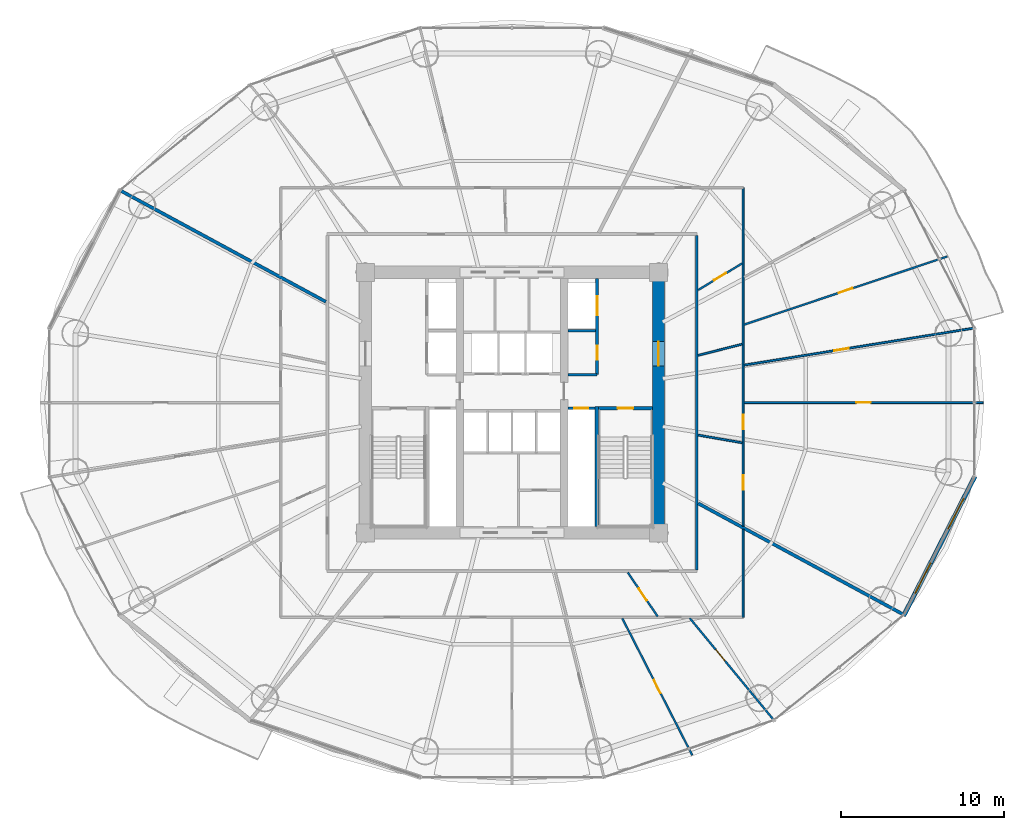
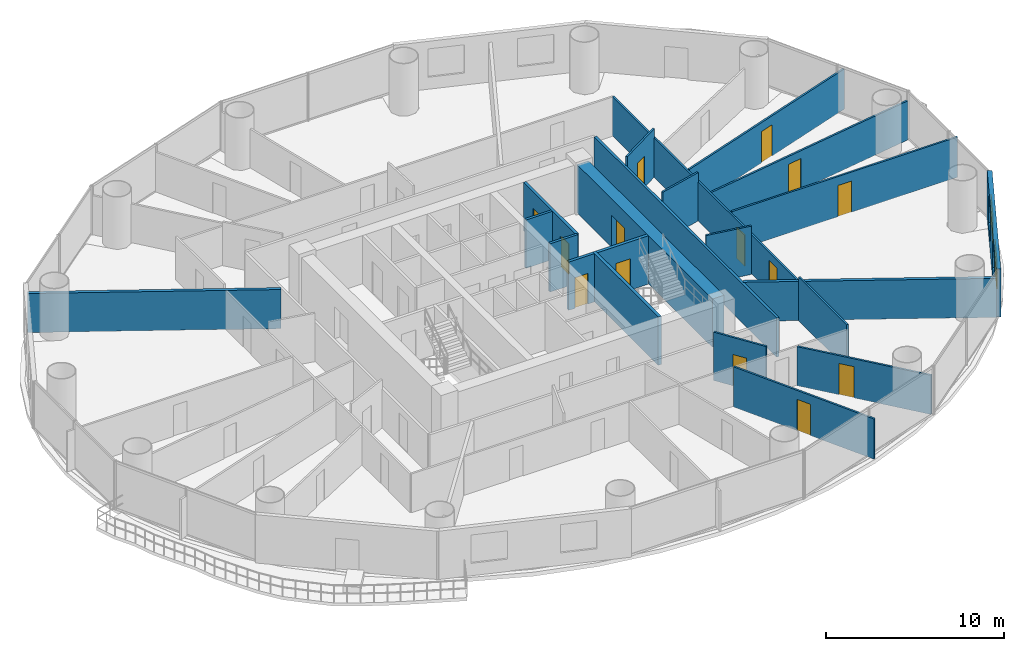
# One storey, part 24 of 29: 22 walls, 14 doors, 2 windows, 16 openings.
"""IFC4 building model written with IfcOpenShell, lengths in metres."""

from ifc_helpers import new_model, si_unit, direction, frame, frame_2d, origin, place, context, subcontext, project, spatial, rectangle, extrude, source, transform, mapped, material, layer, layer_set, type_object, element, fill, save


model = new_model("IFC4")

# Units and contexts
model_context = context("Model", 3, precision=1e-05, world=origin(), true_north=direction((-0.2419218956, 0.970295726276)))
body_context = subcontext(model_context, "Body", "Model", "MODEL_VIEW")
ifc_project = project(units=[si_unit("LENGTHUNIT", "METRE"), si_unit("AREAUNIT", "SQUARE_METRE"), si_unit("VOLUMEUNIT", "CUBIC_METRE"), si_unit("PLANEANGLEUNIT", "RADIAN"), si_unit("MASSUNIT", "GRAM", prefix="KILO")], contexts=[model_context])

# Site, building, storey
site_placement = place(None, origin())
site = spatial("IfcSite", under=ifc_project, at=site_placement, CompositionType="ELEMENT")
building_placement = place(site_placement, origin())
building = spatial("IfcBuilding", under=site, at=building_placement, Name="Cobrevalo Terracotta Tower", CompositionType="ELEMENT")
storey_placement = place(building_placement, frame((0.0, 0.0, 52.800048828125)))
storey = spatial("IfcBuildingStorey", under=building, at=storey_placement, Name="L13", CompositionType="ELEMENT", Elevation=52.800048828125)

# Wall, opening, door
ifc_material_1 = material(Name="Concrete C60", Category="concrete")
ifc_layer_1 = layer(ifc_material_1, 0.75)
ifc_layer_set_1 = layer_set([ifc_layer_1], Name="Concrete C60")
wall_type_1 = type_object("IfcWallType", Name="Core shear wall 750 mm Concrete C60", PredefinedType="SHEAR", material=ifc_layer_set_1)
wall_1_placement = place(storey_placement, frame((47.0, 19.175048828125, 0.0), z_axis=(0.0, 0.0, 1.0), x_axis=(0.0, 1.0, 0.0)))
wall_1 = element("IfcWall", 1, at=wall_1_placement, inside=storey, type_object=wall_type_1, Name="L13 east core shear wall", PredefinedType="SHEAR", context=body_context, shape_type="SweptSolid", body=[
    extrude(rectangle(XDim=15.25, YDim=0.75, at=frame_2d((7.625, 0.0))), origin(), (0.0, 0.0, 1.0), 3.320068359375),
])
opening_1_placement = place(wall_1_placement, frame((9.875, 0.0, 0.0)))
opening_1 = element("IfcOpeningElement", 2, at=opening_1_placement, cuts=wall_1, Name="Opening ID-14", PredefinedType="OPENING", context=body_context, shape_type="SweptSolid", body=[
    extrude(rectangle(XDim=1.5, YDim=2.199951171875, at=frame_2d((0.75, 1.10009765625))), frame((0.0, 0.385009765625, 0.0), z_axis=(0.0, -1.0, 0.0), x_axis=(1.0, 0.0, 0.0)), (0.0, 0.0, 1.0), 0.77001953125),
])
ifc_material_2 = material(Name="Galvanized fire-rated steel", Category="steel")
door_type_1 = type_object("IfcDoorType", Name="Core cross-lobby double fire door 1500x2200 EI 90", OperationType="NOTDEFINED", PredefinedType="DOOR", material=ifc_material_2)
shared_shape_1 = source(origin(), body_context, "Body", "SweptSolid", [
    extrude(rectangle(XDim=1.5, YDim=2.199951171875, at=frame_2d((0.75, 1.10009765625))), frame((0.0, 0.02490234375, 0.0), z_axis=(0.0, -1.0, 0.0), x_axis=(1.0, 0.0, 0.0)), (0.0, 0.0, 1.0), 0.050048828125),
])
door_1_placement = place(opening_1_placement, frame((1.5, 0.0, 0.0), z_axis=(0.0, 0.0, 1.0), x_axis=(-1.0, 0.0, 0.0)))
door_1 = element("IfcDoor", 3, at=door_1_placement, inside=storey, type_object=door_type_1, Name="L13 east firefighting lobby entrance door", OperationType="DOUBLE_DOOR_SINGLE_SWING", OverallHeight=2.199951171875, OverallWidth=1.5, PredefinedType="DOOR", context=body_context, shape_type="MappedRepresentation", body=[
    mapped(shared_shape_1, transform((0.0, 0.0, 0.0), scale=1.0)),
])
fill(opening_1, door_1)

# Walls
ifc_material_3 = material(Name="Gypsum board on steel stud", Category="steel")
ifc_layer_2 = layer(ifc_material_3, 0.159912109375)
ifc_layer_set_2 = layer_set([ifc_layer_2], Name="Gypsum board on steel stud")
wall_type_2 = type_object("IfcWallType", Name="Fire-rated corridor acoustic partition wall 160 mm", PredefinedType="PARTITIONING", material=ifc_layer_set_2)
wall_2_placement = place(storey_placement, frame((41.425048828125, 31.219970703125, 0.0), z_axis=(0.0, 0.0, 1.0), x_axis=(1.0, 0.0, 0.0)))
element("IfcWall", 4, at=wall_2_placement, inside=storey, type_object=wall_type_2, Name="L13 interior partition IW-L13-FF2-M", PredefinedType="PARTITIONING", context=body_context, shape_type="SweptSolid", body=[
    extrude(rectangle(XDim=1.71484375, YDim=0.159912109375, at=frame_2d((0.857421875, 0.0))), origin(), (0.0, 0.0, 1.0), 3.320068359375),
])
wall_3_placement = place(storey_placement, frame((41.425048828125, 28.52001953125, 0.0), z_axis=(0.0, 0.0, 1.0), x_axis=(1.0, 0.0, 0.0)))
element("IfcWall", 5, at=wall_3_placement, inside=storey, type_object=wall_type_2, Name="L13 interior partition IW-L13-FF2-S", PredefinedType="PARTITIONING", context=body_context, shape_type="SweptSolid", body=[
    extrude(rectangle(XDim=1.804931640625, YDim=0.159912109375, at=frame_2d((0.90234375, 0.0))), origin(), (0.0, 0.0, 1.0), 3.320068359375),
])
wall_4_placement = place(storey_placement, frame((49.35498046875, 16.52490234375, 0.0), z_axis=(0.0, 0.0, 1.0), x_axis=(0.0, 1.0, 0.0)))
element("IfcWall", 6, at=wall_4_placement, inside=storey, type_object=wall_type_2, Name="L13 interior partition IW-L13-COR-E", PredefinedType="PARTITIONING", context=body_context, shape_type="SweptSolid", body=[
    extrude(rectangle(XDim=20.550048828125, YDim=0.159912109375, at=frame_2d((10.27490234375, 0.0))), origin(), (0.0, 0.0, 1.0), 2.68798828125),
])

# Wall, opening, door
ifc_layer_3 = layer(ifc_material_3, 0.179931640625)
ifc_layer_set_3 = layer_set([ifc_layer_3], Name="Gypsum board on steel stud")
wall_type_3 = type_object("IfcWallType", Name="Fire-rated shaft & lobby acoustic partition wall 180 mm", PredefinedType="PARTITIONING", material=ifc_layer_set_3)
wall_5_placement = place(storey_placement, frame((41.425048828125, 26.449951171875, 0.0), z_axis=(0.0, 0.0, 1.0), x_axis=(1.0, 0.0, 0.0)))
wall_5 = element("IfcWall", 7, at=wall_5_placement, inside=storey, type_object=wall_type_3, Name="L13 interior partition IW-L13-RSE-N", PredefinedType="PARTITIONING", context=body_context, shape_type="SweptSolid", body=[
    extrude(rectangle(XDim=1.675048828125, YDim=0.179931640625, at=frame_2d((0.83740234375, 0.0))), origin(), (0.0, 0.0, 1.0), 3.320068359375),
])
opening_2_placement = place(wall_5_placement, frame((0.41259765625, 0.0, 0.0)))
opening_2 = element("IfcOpeningElement", 8, at=opening_2_placement, cuts=wall_5, Name="Opening ID-22", PredefinedType="OPENING", context=body_context, shape_type="SweptSolid", body=[
    extrude(rectangle(XDim=0.85009765625, YDim=2.10009765625, at=frame_2d((0.425048828125, 1.050048828125))), frame((0.0, 0.10009765625, 0.0), z_axis=(0.0, -1.0, 0.0), x_axis=(1.0, 0.0, 0.0)), (0.0, 0.0, 1.0), 0.199951171875),
])
ifc_material_4 = material(Name="Powder-coated steel", Category="steel")
door_type_2 = type_object("IfcDoorType", Name="Riser shaft & meter closet fire access door 850x2100 EI 60", OperationType="NOTDEFINED", PredefinedType="DOOR", material=ifc_material_4)
shared_shape_2 = source(origin(), body_context, "Body", "SweptSolid", [
    extrude(rectangle(XDim=0.85009765625, YDim=2.10009765625, at=frame_2d((0.425048828125, 1.050048828125))), frame((0.0, 0.02490234375, 0.0), z_axis=(0.0, -1.0, 0.0), x_axis=(1.0, 0.0, 0.0)), (0.0, 0.0, 1.0), 0.050048828125),
])
door_2_placement = place(opening_2_placement, origin())
door_2 = element("IfcDoor", 9, at=door_2_placement, inside=storey, type_object=door_type_2, Name="L13 riser access door RSE", OperationType="SINGLE_SWING_RIGHT", OverallHeight=2.10009765625, OverallWidth=0.85009765625, PredefinedType="DOOR", context=body_context, shape_type="MappedRepresentation", body=[
    mapped(shared_shape_2, transform((0.0, 0.0, 0.0), scale=1.0)),
])
fill(opening_2, door_2)

# Wall, openings, doors
wall_6_placement = place(storey_placement, frame((43.22998046875, 28.52001953125, 0.0), z_axis=(0.0, 0.0, 1.0), x_axis=(0.0, 1.0, 0.0)))
wall_6 = element("IfcWall", 10, at=wall_6_placement, inside=storey, type_object=wall_type_3, Name="L13 interior partition IW-L13-FF2-E", PredefinedType="PARTITIONING", context=body_context, shape_type="SweptSolid", body=[
    extrude(rectangle(XDim=5.905029296875, YDim=0.179931640625, at=frame_2d((2.95263671875, 0.0))), origin(), (0.0, 0.0, 1.0), 3.320068359375),
])
opening_3_placement = place(wall_6_placement, frame((0.905029296875, 0.0, 0.0)))
opening_3 = element("IfcOpeningElement", 11, at=opening_3_placement, cuts=wall_6, Name="Opening ID-22", PredefinedType="OPENING", context=body_context, shape_type="SweptSolid", body=[
    extrude(rectangle(XDim=0.85009765625, YDim=2.10009765625, at=frame_2d((0.425048828125, 1.050048828125))), frame((0.0, 0.10009765625, 0.0), z_axis=(0.0, -1.0, 0.0), x_axis=(1.0, 0.0, 0.0)), (0.0, 0.0, 1.0), 0.199951171875),
])
opening_4_placement = place(wall_6_placement, frame((3.655029296875, 0.0, 0.0)))
opening_4 = element("IfcOpeningElement", 12, at=opening_4_placement, cuts=wall_6, Name="Opening LD-02", PredefinedType="OPENING", context=body_context, shape_type="SweptSolid", body=[
    extrude(rectangle(XDim=1.14990234375, YDim=2.199951171875, at=frame_2d((0.574951171875, 1.10009765625))), frame((0.0, 0.10009765625, 0.0), z_axis=(0.0, -1.0, 0.0), x_axis=(1.0, 0.0, 0.0)), (0.0, 0.0, 1.0), 0.199951171875),
])
door_3_placement = place(opening_3_placement, frame((0.85009765625, 0.0, 0.0), z_axis=(0.0, 0.0, 1.0), x_axis=(-1.0, 0.0, 0.0)))
door_3 = element("IfcDoor", 13, at=door_3_placement, inside=storey, type_object=door_type_2, Name="L13 housekeeping store door", OperationType="SINGLE_SWING_RIGHT", OverallHeight=2.10009765625, OverallWidth=0.85009765625, PredefinedType="DOOR", context=body_context, shape_type="MappedRepresentation", body=[
    mapped(shared_shape_2, transform((0.0, 0.0, 0.0), scale=1.0)),
])
fill(opening_3, door_3)
ifc_material_5 = material(Name="Brushed stainless steel", Category="steel")
door_type_3 = type_object("IfcDoorType", Name="Firefighting lift landing bi-parting sliding door 1150x2200 EI 120", OperationType="DOUBLE_DOOR_SLIDING", PredefinedType="DOOR", material=ifc_material_5)
shared_shape_3 = source(origin(), body_context, "Body", "SweptSolid", [
    extrude(rectangle(XDim=1.14990234375, YDim=2.199951171875, at=frame_2d((0.574951171875, 1.10009765625))), frame((0.0, 0.02490234375, 0.0), z_axis=(0.0, -1.0, 0.0), x_axis=(1.0, 0.0, 0.0)), (0.0, 0.0, 1.0), 0.050048828125),
])
door_4_placement = place(opening_4_placement, origin())
door_4 = element("IfcDoor", 14, at=door_4_placement, inside=storey, type_object=door_type_3, Name="L13 lift landing door FF-2", OperationType="DOUBLE_DOOR_SLIDING", OverallHeight=2.199951171875, OverallWidth=1.14990234375, PredefinedType="DOOR", context=body_context, shape_type="MappedRepresentation", body=[
    mapped(shared_shape_3, transform((0.0, 0.0, 0.0), scale=1.0)),
])
fill(opening_4, door_4)

# Walls
ifc_material_6 = material(Name="Autoclaved aerated concrete block", Category="concrete")
ifc_layer_4 = layer(ifc_material_6, 0.199951171875)
ifc_layer_set_4 = layer_set([ifc_layer_4], Name="Autoclaved aerated concrete block")
wall_type_4 = type_object("IfcWallType", Name="Fire-rated stair, shaft & demising masonry wall 200 mm", PredefinedType="PARTITIONING", material=ifc_layer_set_4)
for number, where, z_axis, x_axis, name in (
    (15, (49.43505859375, 20.6083984375, 0.0), (0.0, 0.0, 1.0), (0.879369737803, -0.476139542819, 0.0), "L13 interior partition IW-L13-DEM-1"),
    (16, (26.56494140625, 32.991455078125, 0.0), (0.0, 0.0, 1.0), (-0.879369737803, 0.476139542819, 0.0), "L13 interior partition IW-L13-DEM-3"),
):
    element("IfcWall", number, at=place(storey_placement, frame(where, z_axis=z_axis, x_axis=x_axis)), inside=storey, type_object=wall_type_4, Name=name, PredefinedType="PARTITIONING", context=body_context, shape_type="SweptSolid", body=[
        extrude(rectangle(XDim=14.294921875, YDim=0.199951171875, at=frame_2d((7.1474609375, 0.0))), origin(), (0.0, 0.0, 1.0), 2.68798828125),
    ])

# Wall, openings, windows
ifc_layer_5 = layer(ifc_material_6, 0.280029296875)
ifc_layer_set_5 = layer_set([ifc_layer_5], Name="Autoclaved aerated concrete block")
wall_type_5 = type_object("IfcWallType", Name="Insulated tower spandrel & pier wall 280 mm with terracotta rainscreen", PredefinedType="SOLIDWALL", material=ifc_layer_set_5)
wall_7_placement = place(storey_placement, frame((62.05126953125, 13.689453125, 0.0), z_axis=(0.0, 0.0, 1.0), x_axis=(0.455220575541, 0.890378698984, 0.0)))
wall_7 = element("IfcWall", 17, at=wall_7_placement, inside=storey, type_object=wall_type_5, Name="L13 terracotta rainscreen pier wall S15", PredefinedType="SOLIDWALL", context=body_context, shape_type="SweptSolid", body=[
    extrude(rectangle(XDim=9.662109375, YDim=0.280029296875, at=frame_2d((4.8310546875, 0.0))), origin(), (0.0, 0.0, 1.0), 3.320068359375),
])
opening_5_placement = place(wall_7_placement, frame((1.558837890625, 0.0, 0.85009765625)))
opening_5 = element("IfcOpeningElement", 18, at=opening_5_placement, cuts=wall_7, Name="Opening WN-10", PredefinedType="OPENING", context=body_context, shape_type="SweptSolid", body=[
    extrude(rectangle(XDim=2.10009765625, YDim=1.949951171875, at=frame_2d((1.050048828125, 0.97509765625))), frame((0.0, 0.14990234375, 0.0), z_axis=(0.0, -1.0, 0.0), x_axis=(1.0, 0.0, 0.0)), (0.0, 0.0, 1.0), 0.300048828125),
])
opening_6_placement = place(wall_7_placement, frame((6.00341796875, 0.0, 0.85009765625)))
opening_6 = element("IfcOpeningElement", 19, at=opening_6_placement, cuts=wall_7, Name="Opening WN-10", PredefinedType="OPENING", context=body_context, shape_type="SweptSolid", body=[
    extrude(rectangle(XDim=2.10009765625, YDim=1.949951171875, at=frame_2d((1.050048828125, 0.97509765625))), frame((0.0, 0.14990234375, 0.0), z_axis=(0.0, -1.0, 0.0), x_axis=(1.0, 0.0, 0.0)), (0.0, 0.0, 1.0), 0.300048828125),
])
ifc_material_7 = material(Name="Solar-control low-E double glazing", Category="glass")
window_type = type_object("IfcWindowType", Name="Wide panoramic low-E aluminium window 2100x1950", PartitioningType="SINGLE_PANEL", PredefinedType="WINDOW", material=ifc_material_7)
shared_shape_4 = source(origin(), body_context, "Body", "SweptSolid", [
    extrude(rectangle(XDim=2.10009765625, YDim=1.949951171875, at=frame_2d((1.050048828125, 0.97509765625))), frame((0.0, 0.030029296875, 0.0), z_axis=(0.0, -1.0, 0.0), x_axis=(1.0, 0.0, 0.0)), (0.0, 0.0, 1.0), 0.06005859375),
])
window_1_placement = place(opening_5_placement, origin())
window_1 = element("IfcWindow", 20, at=window_1_placement, inside=storey, type_object=window_type, Name="L13 suite window S15A", OverallHeight=1.949951171875, OverallWidth=2.10009765625, PartitioningType="SINGLE_PANEL", PredefinedType="WINDOW", context=body_context, shape_type="MappedRepresentation", body=[
    mapped(shared_shape_4, transform((0.0, 0.0, 0.0), scale=1.0)),
])
fill(opening_5, window_1)
window_2_placement = place(opening_6_placement, origin())
window_2 = element("IfcWindow", 21, at=window_2_placement, inside=storey, type_object=window_type, Name="L13 suite window S15B", OverallHeight=1.949951171875, OverallWidth=2.10009765625, PartitioningType="SINGLE_PANEL", PredefinedType="WINDOW", context=body_context, shape_type="MappedRepresentation", body=[
    mapped(shared_shape_4, transform((0.0, 0.0, 0.0), scale=1.0)),
])
fill(opening_6, window_2)

# Wall, openings, doors
ifc_layer_6 = layer(ifc_material_3, 0.1201171875)
ifc_layer_set_6 = layer_set([ifc_layer_6], Name="Gypsum board on steel stud")
wall_type_6 = type_object("IfcWallType", Name="Residential internal acoustic stud partition 120 mm", PredefinedType="PARTITIONING", material=ifc_layer_set_6)
wall_8_placement = place(storey_placement, frame((52.195068359375, 39.9951171875, 0.0), z_axis=(0.0, 0.0, 1.0), x_axis=(0.0, -1.0, 0.0)))
wall_8 = element("IfcWall", 22, at=wall_8_placement, inside=storey, type_object=wall_type_6, Name="L13 interior partition IW-L13-U1-RING1_0", PredefinedType="PARTITIONING", context=body_context, shape_type="SweptSolid", body=[
    extrude(rectangle(XDim=20.779052734375, YDim=0.1201171875, at=frame_2d((10.3896484375, 0.0))), origin(), (0.0, 0.0, 1.0), 2.68798828125),
])
opening_7_placement = place(wall_8_placement, frame((13.944091796875, 0.0, 0.0)))
opening_7 = element("IfcOpeningElement", 23, at=opening_7_placement, cuts=wall_8, Name="Opening ID-12", PredefinedType="OPENING", context=body_context, shape_type="SweptSolid", body=[
    extrude(rectangle(XDim=0.89990234375, YDim=2.14990234375, at=frame_2d((0.449951171875, 1.074951171875))), frame((0.0, 0.070068359375, 0.0), z_axis=(0.0, -1.0, 0.0), x_axis=(1.0, 0.0, 0.0)), (0.0, 0.0, 1.0), 0.14013671875),
])
opening_8_placement = place(wall_8_placement, frame((17.654541015625, 0.0, 0.0)))
opening_8 = element("IfcOpeningElement", 24, at=opening_8_placement, cuts=wall_8, Name="Opening ID-12", PredefinedType="OPENING", context=body_context, shape_type="SweptSolid", body=[
    extrude(rectangle(XDim=0.89990234375, YDim=2.14990234375, at=frame_2d((0.449951171875, 1.074951171875))), frame((0.0, 0.070068359375, 0.0), z_axis=(0.0, -1.0, 0.0), x_axis=(1.0, 0.0, 0.0)), (0.0, 0.0, 1.0), 0.14013671875),
])
ifc_material_8 = material(Name="Engineered timber", Category="wood")
door_type_4 = type_object("IfcDoorType", Name="Internal residence & suite timber door 900x2150", OperationType="NOTDEFINED", PredefinedType="DOOR", material=ifc_material_8)
shared_shape_5 = source(origin(), body_context, "Body", "SweptSolid", [
    extrude(rectangle(XDim=0.89990234375, YDim=2.14990234375, at=frame_2d((0.449951171875, 1.074951171875))), frame((0.0, 0.02490234375, 0.0), z_axis=(0.0, -1.0, 0.0), x_axis=(1.0, 0.0, 0.0)), (0.0, 0.0, 1.0), 0.050048828125),
])
door_5_placement = place(opening_7_placement, frame((0.89990234375, 0.0, 0.0), z_axis=(0.0, 0.0, 1.0), x_axis=(-1.0, 0.0, 0.0)))
door_5 = element("IfcDoor", 25, at=door_5_placement, inside=storey, type_object=door_type_4, Name="Flat L13A Kitchen internal door", OperationType="SINGLE_SWING_RIGHT", OverallHeight=2.14990234375, OverallWidth=0.89990234375, PredefinedType="DOOR", context=body_context, shape_type="MappedRepresentation", body=[
    mapped(shared_shape_5, transform((0.0, 0.0, 0.0), scale=1.0)),
])
fill(opening_7, door_5)
door_6_placement = place(opening_8_placement, frame((0.89990234375, 0.0, 0.0), z_axis=(0.0, 0.0, 1.0), x_axis=(-1.0, 0.0, 0.0)))
door_6 = element("IfcDoor", 26, at=door_6_placement, inside=storey, type_object=door_type_4, Name="Flat L13A Home Office Study internal door", OperationType="SINGLE_SWING_LEFT", OverallHeight=2.14990234375, OverallWidth=0.89990234375, PredefinedType="DOOR", context=body_context, shape_type="MappedRepresentation", body=[
    mapped(shared_shape_5, transform((0.0, 0.0, 0.0), scale=1.0)),
])
fill(opening_8, door_6)

# Wall, opening, door
wall_9_placement = place(storey_placement, frame((52.257080078125, 26.800048828125, 0.0), z_axis=(0.0, 0.0, 1.0), x_axis=(1.0, 0.0, 0.0)))
wall_9 = element("IfcWall", 27, at=wall_9_placement, inside=storey, type_object=wall_type_6, Name="L13 interior partition IW-L13-U1-ORAD1", PredefinedType="PARTITIONING", context=body_context, shape_type="SweptSolid", body=[
    extrude(rectangle(XDim=14.682861328125, YDim=0.1201171875, at=frame_2d((7.34130859375, 0.0))), origin(), (0.0, 0.0, 1.0), 2.761962890625),
])
opening_9_placement = place(wall_9_placement, frame((6.8916015625, 0.0, 0.0)))
opening_9 = element("IfcOpeningElement", 28, at=opening_9_placement, cuts=wall_9, Name="Opening ID-12", PredefinedType="OPENING", context=body_context, shape_type="SweptSolid", body=[
    extrude(rectangle(XDim=0.89990234375, YDim=2.14990234375, at=frame_2d((0.449951171875, 1.074951171875))), frame((0.0, 0.070068359375, 0.0), z_axis=(0.0, -1.0, 0.0), x_axis=(1.0, 0.0, 0.0)), (0.0, 0.0, 1.0), 0.14013671875),
])
door_7_placement = place(opening_9_placement, frame((0.89990234375, 0.0, 0.0), z_axis=(0.0, 0.0, 1.0), x_axis=(-1.0, 0.0, 0.0)))
door_7 = element("IfcDoor", 29, at=door_7_placement, inside=storey, type_object=door_type_4, Name="Flat L13A Penthouse Living and Dining Room internal door", OperationType="SINGLE_SWING_LEFT", OverallHeight=2.14990234375, OverallWidth=0.89990234375, PredefinedType="DOOR", context=body_context, shape_type="MappedRepresentation", body=[
    mapped(shared_shape_5, transform((0.0, 0.0, 0.0), scale=1.0)),
])
fill(opening_9, door_7)

wall_10_placement = place(storey_placement, frame((52.256103515625, 29.097900390625, 0.0), z_axis=(0.0, 0.0, 1.0), x_axis=(0.987257017041, 0.159133850272, 0.0)))
wall_10 = element("IfcWall", 30, at=wall_10_placement, inside=storey, type_object=wall_type_6, Name="L13 interior partition IW-L13-U1-ORAD2M1", PredefinedType="PARTITIONING", context=body_context, shape_type="SweptSolid", body=[
    extrude(rectangle(XDim=14.248046875, YDim=0.1201171875, at=frame_2d((7.1240234375, 0.0))), origin(), (0.0, 0.0, 1.0), 2.68798828125),
])
opening_10_placement = place(wall_10_placement, frame((5.603271484375, 0.0, 0.0)))
opening_10 = element("IfcOpeningElement", 31, at=opening_10_placement, cuts=wall_10, Name="Opening ID-12", PredefinedType="OPENING", context=body_context, shape_type="SweptSolid", body=[
    extrude(rectangle(XDim=0.89990234375, YDim=2.14990234375, at=frame_2d((0.449951171875, 1.074951171875))), frame((0.0, 0.070068359375, 0.0), z_axis=(0.0, -1.0, 0.0), x_axis=(1.0, 0.0, 0.0)), (0.0, 0.0, 1.0), 0.14013671875),
])
door_8_placement = place(opening_10_placement, frame((0.89990234375, 0.0, 0.0), z_axis=(0.0, 0.0, 1.0), x_axis=(-1.0, 0.0, 0.0)))
door_8 = element("IfcDoor", 32, at=door_8_placement, inside=storey, type_object=door_type_4, Name="Flat L13A Master Bedroom internal door", OperationType="SINGLE_SWING_RIGHT", OverallHeight=2.14990234375, OverallWidth=0.89990234375, PredefinedType="DOOR", context=body_context, shape_type="MappedRepresentation", body=[
    mapped(shared_shape_5, transform((0.0, 0.0, 0.0), scale=1.0)),
])
fill(opening_10, door_8)

wall_11_placement = place(storey_placement, frame((52.253662109375, 31.58447265625, 0.0), z_axis=(0.0, 0.0, 1.0), x_axis=(0.948022802246, 0.318202398516, 0.0)))
wall_11 = element("IfcWall", 33, at=wall_11_placement, inside=storey, type_object=wall_type_6, Name="L13 interior partition IW-L13-U1-ORAD2", PredefinedType="PARTITIONING", context=body_context, shape_type="SweptSolid", body=[
    extrude(rectangle(XDim=13.162841796875, YDim=0.1201171875, at=frame_2d((6.58154296875, 0.0))), origin(), (0.0, 0.0, 1.0), 2.761962890625),
])
opening_11_placement = place(wall_11_placement, frame((6.13134765625, 0.0, 0.0)))
opening_11 = element("IfcOpeningElement", 34, at=opening_11_placement, cuts=wall_11, Name="Opening ID-12", PredefinedType="OPENING", context=body_context, shape_type="SweptSolid", body=[
    extrude(rectangle(XDim=0.89990234375, YDim=2.14990234375, at=frame_2d((0.449951171875, 1.074951171875))), frame((0.0, 0.070068359375, 0.0), z_axis=(0.0, -1.0, 0.0), x_axis=(1.0, 0.0, 0.0)), (0.0, 0.0, 1.0), 0.14013671875),
])
door_9_placement = place(opening_11_placement, frame((0.89990234375, 0.0, 0.0), z_axis=(0.0, 0.0, 1.0), x_axis=(-1.0, 0.0, 0.0)))
door_9 = element("IfcDoor", 35, at=door_9_placement, inside=storey, type_object=door_type_4, Name="Flat L13A Principal Guest Bedroom internal door", OperationType="SINGLE_SWING_LEFT", OverallHeight=2.14990234375, OverallWidth=0.89990234375, PredefinedType="DOOR", context=body_context, shape_type="MappedRepresentation", body=[
    mapped(shared_shape_5, transform((0.0, 0.0, 0.0), scale=1.0)),
])
fill(opening_11, door_9)

# Walls
wall_12_placement = place(storey_placement, frame((49.43505859375, 24.80322265625, 0.0), z_axis=(0.0, 0.0, 1.0), x_axis=(0.985100365489, -0.171980434681, 0.0)))
element("IfcWall", 36, at=wall_12_placement, inside=storey, type_object=wall_type_6, Name="L13 interior partition IW-L13-U1-IRAD1", PredefinedType="PARTITIONING", context=body_context, shape_type="SweptSolid", body=[
    extrude(rectangle(XDim=2.73974609375, YDim=0.1201171875, at=frame_2d((1.369873046875, 0.0))), origin(), (0.0, 0.0, 1.0), 3.320068359375),
])
wall_13_placement = place(storey_placement, frame((49.43505859375, 29.69873046875, 0.0), z_axis=(0.0, 0.0, 1.0), x_axis=(0.969327617988, 0.245772189243, 0.0)))
element("IfcWall", 37, at=wall_13_placement, inside=storey, type_object=wall_type_6, Name="L13 interior partition IW-L13-U1-IRAD2", PredefinedType="PARTITIONING", context=body_context, shape_type="SweptSolid", body=[
    extrude(rectangle(XDim=2.785400390625, YDim=0.1201171875, at=frame_2d((1.392578125, 0.0))), origin(), (0.0, 0.0, 1.0), 3.320068359375),
])

# Wall, opening, door
wall_14_placement = place(storey_placement, frame((49.43505859375, 33.7138671875, 0.0), z_axis=(0.0, 0.0, 1.0), x_axis=(0.855724035959, 0.517432482824, 0.0)))
wall_14 = element("IfcWall", 38, at=wall_14_placement, inside=storey, type_object=wall_type_6, Name="L13 interior partition IW-L13-U1-IRAD3", PredefinedType="PARTITIONING", context=body_context, shape_type="SweptSolid", body=[
    extrude(rectangle(XDim=3.1630859375, YDim=0.1201171875, at=frame_2d((1.58154296875, 0.0))), origin(), (0.0, 0.0, 1.0), 3.320068359375),
])
opening_12_placement = place(wall_14_placement, frame((1.151611328125, 0.0, 0.0)))
opening_12 = element("IfcOpeningElement", 39, at=opening_12_placement, cuts=wall_14, Name="Opening ID-19", PredefinedType="OPENING", context=body_context, shape_type="SweptSolid", body=[
    extrude(rectangle(XDim=0.860107421875, YDim=2.14990234375, at=frame_2d((0.43017578125, 1.074951171875))), frame((0.0, 0.070068359375, 0.0), z_axis=(0.0, -1.0, 0.0), x_axis=(1.0, 0.0, 0.0)), (0.0, 0.0, 1.0), 0.14013671875),
])
ifc_material_9 = material(Name="Moisture-sealed timber", Category="wood")
door_type_5 = type_object("IfcDoorType", Name="Suite bathroom internal timber door 860x2150", OperationType="NOTDEFINED", PredefinedType="DOOR", material=ifc_material_9)
shared_shape_6 = source(origin(), body_context, "Body", "SweptSolid", [
    extrude(rectangle(XDim=0.860107421875, YDim=2.14990234375, at=frame_2d((0.43017578125, 1.074951171875))), frame((0.0, 0.02490234375, 0.0), z_axis=(0.0, -1.0, 0.0), x_axis=(1.0, 0.0, 0.0)), (0.0, 0.0, 1.0), 0.050048828125),
])
door_10_placement = place(opening_12_placement, frame((0.860107421875, 0.0, 0.0), z_axis=(0.0, 0.0, 1.0), x_axis=(-1.0, 0.0, 0.0)))
door_10 = element("IfcDoor", 40, at=door_10_placement, inside=storey, type_object=door_type_5, Name="Flat L13A Primary Bathroom internal door", OperationType="SINGLE_SWING_RIGHT", OverallHeight=2.14990234375, OverallWidth=0.860107421875, PredefinedType="DOOR", context=body_context, shape_type="MappedRepresentation", body=[
    mapped(shared_shape_6, transform((0.0, 0.0, 0.0), scale=1.0)),
])
fill(opening_12, door_10)

# Wall
wall_15_placement = place(storey_placement, frame((52.195068359375, 19.011962890625, 0.0), z_axis=(0.0, 0.0, 1.0), x_axis=(0.0, -1.0, 0.0)))
element("IfcWall", 41, at=wall_15_placement, inside=storey, type_object=wall_type_6, Name="L13 interior partition IW-L13-U4-RING0_0", PredefinedType="PARTITIONING", context=body_context, shape_type="SweptSolid", body=[
    extrude(rectangle(XDim=5.406982421875, YDim=0.1201171875, at=frame_2d((2.70361328125, 0.0))), origin(), (0.0, 0.0, 1.0), 2.9990234375),
])

# Wall, opening, door
wall_16_placement = place(storey_placement, frame((44.77294921875, 13.5498046875, 0.0), z_axis=(0.0, 0.0, 1.0), x_axis=(0.455131567849, -0.890424200001, 0.0)))
wall_16 = element("IfcWall", 42, at=wall_16_placement, inside=storey, type_object=wall_type_6, Name="L13 interior partition IW-L13-U4-ORAD2M2", PredefinedType="PARTITIONING", context=body_context, shape_type="SweptSolid", body=[
    extrude(rectangle(XDim=9.438720703125, YDim=0.1201171875, at=frame_2d((4.71923828125, 0.0))), origin(), (0.0, 0.0, 1.0), 2.761962890625),
])
opening_13_placement = place(wall_16_placement, frame((4.269287109375, 0.0, 0.0)))
opening_13 = element("IfcOpeningElement", 43, at=opening_13_placement, cuts=wall_16, Name="Opening ID-12", PredefinedType="OPENING", context=body_context, shape_type="SweptSolid", body=[
    extrude(rectangle(XDim=0.89990234375, YDim=2.14990234375, at=frame_2d((0.449951171875, 1.074951171875))), frame((0.0, 0.070068359375, 0.0), z_axis=(0.0, -1.0, 0.0), x_axis=(1.0, 0.0, 0.0)), (0.0, 0.0, 1.0), 0.14013671875),
])
door_11_placement = place(opening_13_placement, frame((0.89990234375, 0.0, 0.0), z_axis=(0.0, 0.0, 1.0), x_axis=(-1.0, 0.0, 0.0)))
door_11 = element("IfcDoor", 44, at=door_11_placement, inside=storey, type_object=door_type_4, Name="Flat L13D Principal Guest Bedroom internal door", OperationType="SINGLE_SWING_RIGHT", OverallHeight=2.14990234375, OverallWidth=0.89990234375, PredefinedType="DOOR", context=body_context, shape_type="MappedRepresentation", body=[
    mapped(shared_shape_5, transform((0.0, 0.0, 0.0), scale=1.0)),
])
fill(opening_13, door_11)

wall_17_placement = place(storey_placement, frame((48.91943359375, 13.55712890625, 0.0), z_axis=(0.0, 0.0, 1.0), x_axis=(0.636193310573, -0.771529695852, 0.0)))
wall_17 = element("IfcWall", 45, at=wall_17_placement, inside=storey, type_object=wall_type_6, Name="L13 interior partition IW-L13-U4-ORAD2", PredefinedType="PARTITIONING", context=body_context, shape_type="SweptSolid", body=[
    extrude(rectangle(XDim=8.0439453125, YDim=0.1201171875, at=frame_2d((4.02197265625, 0.0))), origin(), (0.0, 0.0, 1.0), 2.68798828125),
])
opening_14_placement = place(wall_17_placement, frame((2.50830078125, 0.0, 0.0)))
opening_14 = element("IfcOpeningElement", 46, at=opening_14_placement, cuts=wall_17, Name="Opening ID-12", PredefinedType="OPENING", context=body_context, shape_type="SweptSolid", body=[
    extrude(rectangle(XDim=0.89990234375, YDim=2.14990234375, at=frame_2d((0.449951171875, 1.074951171875))), frame((0.0, 0.070068359375, 0.0), z_axis=(0.0, -1.0, 0.0), x_axis=(1.0, 0.0, 0.0)), (0.0, 0.0, 1.0), 0.14013671875),
])
door_12_placement = place(opening_14_placement, origin())
door_12 = element("IfcDoor", 47, at=door_12_placement, inside=storey, type_object=door_type_4, Name="Flat L13D Penthouse Family Lounge internal door", OperationType="SINGLE_SWING_LEFT", OverallHeight=2.14990234375, OverallWidth=0.89990234375, PredefinedType="DOOR", context=body_context, shape_type="MappedRepresentation", body=[
    mapped(shared_shape_5, transform((0.0, 0.0, 0.0), scale=1.0)),
])
fill(opening_14, door_12)

wall_18_placement = place(storey_placement, frame((45.107666015625, 16.364990234375, 0.0), z_axis=(0.0, 0.0, 1.0), x_axis=(0.562992379509, -0.826462086617, 0.0)))
wall_18 = element("IfcWall", 48, at=wall_18_placement, inside=storey, type_object=wall_type_6, Name="L13 interior partition IW-L13-U4-IRAD3", PredefinedType="PARTITIONING", context=body_context, shape_type="SweptSolid", body=[
    extrude(rectangle(XDim=3.277587890625, YDim=0.1201171875, at=frame_2d((1.638671875, 0.0))), origin(), (0.0, 0.0, 1.0), 3.320068359375),
])
opening_15_placement = place(wall_18_placement, frame((1.208740234375, 0.0, 0.0)))
opening_15 = element("IfcOpeningElement", 49, at=opening_15_placement, cuts=wall_18, Name="Opening ID-19", PredefinedType="OPENING", context=body_context, shape_type="SweptSolid", body=[
    extrude(rectangle(XDim=0.860107421875, YDim=2.14990234375, at=frame_2d((0.43017578125, 1.074951171875))), frame((0.0, 0.070068359375, 0.0), z_axis=(0.0, -1.0, 0.0), x_axis=(1.0, 0.0, 0.0)), (0.0, 0.0, 1.0), 0.14013671875),
])
door_13_placement = place(opening_15_placement, frame((0.860107421875, 0.0, 0.0), z_axis=(0.0, 0.0, 1.0), x_axis=(-1.0, 0.0, 0.0)))
door_13 = element("IfcDoor", 50, at=door_13_placement, inside=storey, type_object=door_type_5, Name="Flat L13D Primary Bathroom internal door", OperationType="SINGLE_SWING_LEFT", OverallHeight=2.14990234375, OverallWidth=0.860107421875, PredefinedType="DOOR", context=body_context, shape_type="MappedRepresentation", body=[
    mapped(shared_shape_6, transform((0.0, 0.0, 0.0), scale=1.0)),
])
fill(opening_15, door_13)

# Wall
ifc_material_10 = material(Name="Concrete C50", Category="concrete")
ifc_layer_7 = layer(ifc_material_10, 0.199951171875)
ifc_layer_set_7 = layer_set([ifc_layer_7], Name="Concrete C50")
wall_type_7 = type_object("IfcWallType", Name="Structural core & podium stair-shaft RC wall 200 mm Concrete C50", PredefinedType="SOLIDWALL", material=ifc_layer_set_7)
wall_19_placement = place(storey_placement, frame((43.205078125, 19.175048828125, 0.0), z_axis=(0.0, 0.0, 1.0), x_axis=(0.0, 1.0, 0.0)))
element("IfcWall", 51, at=wall_19_placement, inside=storey, type_object=wall_type_7, Name="L13 ST-2 west structural shaft wall", PredefinedType="SOLIDWALL", context=body_context, shape_type="SweptSolid", body=[
    extrude(rectangle(XDim=7.375, YDim=0.199951171875, at=frame_2d((3.6875, 0.0))), origin(), (0.0, 0.0, 1.0), 3.320068359375),
])

# Wall, opening, door
wall_20_placement = place(storey_placement, frame((43.304931640625, 26.449951171875, 0.0), z_axis=(0.0, 0.0, 1.0), x_axis=(1.0, 0.0, 0.0)))
wall_20 = element("IfcWall", 52, at=wall_20_placement, inside=storey, type_object=wall_type_7, Name="L13 ST-2 north structural shaft wall", PredefinedType="SOLIDWALL", context=body_context, shape_type="SweptSolid", body=[
    extrude(rectangle(XDim=3.320068359375, YDim=0.199951171875, at=frame_2d((1.66015625, 0.0))), origin(), (0.0, 0.0, 1.0), 3.320068359375),
])
opening_16_placement = place(wall_20_placement, frame((1.18505859375, 0.0, 0.0)))
opening_16 = element("IfcOpeningElement", 53, at=opening_16_placement, cuts=wall_20, Name="Opening ID-04", PredefinedType="OPENING", context=body_context, shape_type="SweptSolid", body=[
    extrude(rectangle(XDim=0.949951171875, YDim=2.14990234375, at=frame_2d((0.47509765625, 1.074951171875))), frame((0.0, 0.10986328125, 0.0), z_axis=(0.0, -1.0, 0.0), x_axis=(1.0, 0.0, 0.0)), (0.0, 0.0, 1.0), 0.219970703125),
])
door_type_6 = type_object("IfcDoorType", Name="Stair & firefighting lobby fire door 950x2150 EI 90", OperationType="NOTDEFINED", PredefinedType="DOOR", material=ifc_material_2)
shared_shape_7 = source(origin(), body_context, "Body", "SweptSolid", [
    extrude(rectangle(XDim=0.949951171875, YDim=2.14990234375, at=frame_2d((0.47509765625, 1.074951171875))), frame((0.0, 0.02490234375, 0.0), z_axis=(0.0, -1.0, 0.0), x_axis=(1.0, 0.0, 0.0)), (0.0, 0.0, 1.0), 0.050048828125),
])
door_14_placement = place(opening_16_placement, frame((0.949951171875, 0.0, 0.0), z_axis=(0.0, 0.0, 1.0), x_axis=(-1.0, 0.0, 0.0)))
door_14 = element("IfcDoor", 54, at=door_14_placement, inside=storey, type_object=door_type_6, Name="L13 protected stair ST2 fire door", OperationType="SINGLE_SWING_RIGHT", OverallHeight=2.14990234375, OverallWidth=0.949951171875, PredefinedType="DOOR", context=body_context, shape_type="MappedRepresentation", body=[
    mapped(shared_shape_7, transform((0.0, 0.0, 0.0), scale=1.0)),
])
fill(opening_16, door_14)

save(model, "model.ifc")
